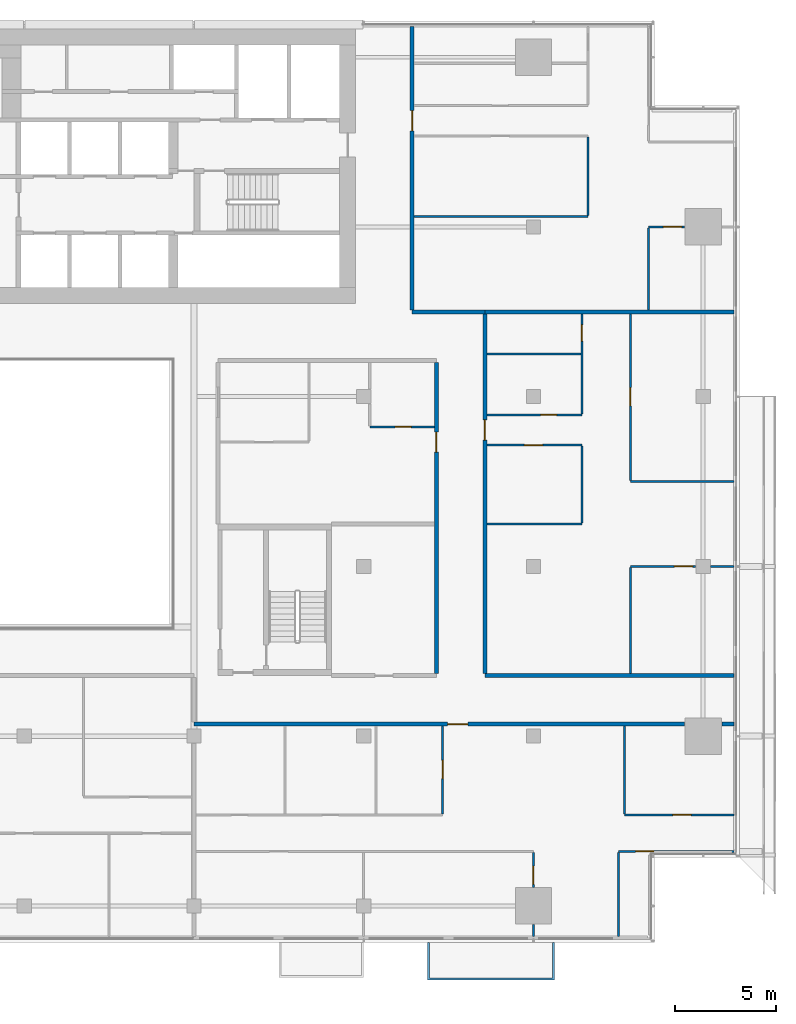
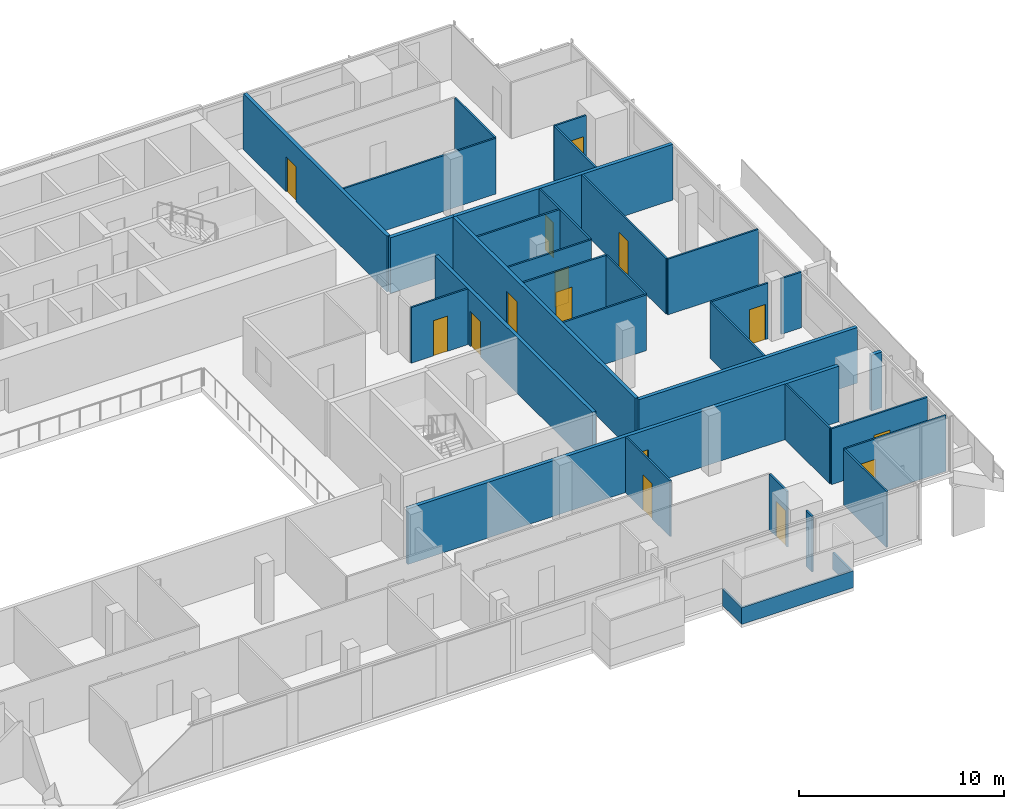
# One storey, part 24 of 29: 32 walls, 15 doors, 15 openings.
"""IFC4 building model written with IfcOpenShell, lengths in metres."""

from ifc_helpers import new_model, si_unit, direction, frame, frame_2d, origin, place, context, subcontext, project, spatial, polyline, rectangle, outline, extrude, material, layer, layer_set, type_object, element, fill, save


model = new_model("IFC4")

# Units and contexts
model_context = context("Model", 3, precision=1e-05, world=origin(), true_north=direction((0.0, 1.0)))
body_context = subcontext(model_context, "Body", "Model", "MODEL_VIEW")
ifc_project = project(units=[si_unit("LENGTHUNIT", "METRE"), si_unit("AREAUNIT", "SQUARE_METRE"), si_unit("VOLUMEUNIT", "CUBIC_METRE"), si_unit("PLANEANGLEUNIT", "RADIAN"), si_unit("MASSUNIT", "GRAM", prefix="KILO")], contexts=[model_context])

# Site, building, storey
site_placement = place(None, origin())
site = spatial("IfcSite", under=ifc_project, at=site_placement, CompositionType="ELEMENT")
building_placement = place(site_placement, origin())
building = spatial("IfcBuilding", under=site, at=building_placement, Name="Saffron Gate Tower", CompositionType="ELEMENT")
storey_placement = place(building_placement, frame((0.0, 0.0, 161.85009765625)))
storey = spatial("IfcBuildingStorey", under=building, at=storey_placement, Name="L39", CompositionType="ELEMENT", Elevation=161.85009765625)

# Wall, opening, door
ifc_material_1 = material(Name="Plasterboard on steel studs", Category="steel")
ifc_layer_1 = layer(ifc_material_1, 0.10009765625)
ifc_layer_set_1 = layer_set([ifc_layer_1], Name="PW1 Partition 100")
wall_type_1 = type_object("IfcWallType", Name="PW1 Partition 100", PredefinedType="PARTITIONING", material=ifc_layer_set_1)
wall_1_placement = place(storey_placement, frame((126.919921875, 34.5, 0.0), z_axis=(0.0, 0.0, 1.0), x_axis=(-1.0, 0.0, 0.0)))
wall_1 = element("IfcWall", 1, at=wall_1_placement, inside=storey, type_object=wall_type_1, Name="Partition C2-4", PredefinedType="PARTITIONING", context=body_context, shape_type="SweptSolid", body=[
    extrude(rectangle(XDim=5.719970703125, YDim=0.10009765625, at=frame_2d((2.85986328125, 0.0))), origin(), (0.0, 0.0, 1.0), 3.31982421875),
])
opening_1_placement = place(wall_1_placement, frame((3.96630859375, 0.0, 0.0)))
opening_1 = element("IfcOpeningElement", 2, at=opening_1_placement, cuts=wall_1, Name="Opening C2-22", PredefinedType="OPENING", context=body_context, shape_type="SweptSolid", body=[
    extrude(rectangle(XDim=0.89990234375, YDim=2.10009765625, at=frame_2d((0.449951171875, 1.050048828125))), frame((0.0, 0.06005859375, 0.0), z_axis=(0.0, -1.0, 0.0), x_axis=(1.0, 0.0, 0.0)), (0.0, 0.0, 1.0), 0.1201171875),
])
ifc_material_2 = material(Name="Timber door set", Category="wood")
door_type_1 = type_object("IfcDoorType", Name="RD1 Room door 900x2100", OperationType="NOTDEFINED", PredefinedType="DOOR", material=ifc_material_2)
door_1_placement = place(opening_1_placement, origin())
door_1 = element("IfcDoor", 3, at=door_1_placement, inside=storey, type_object=door_type_1, Name="Door C2-22", OperationType="SINGLE_SWING_RIGHT", OverallHeight=2.10009765625, OverallWidth=0.89990234375, PredefinedType="DOOR", context=body_context, shape_type="SweptSolid", body=[
    extrude(rectangle(XDim=0.89990234375, YDim=2.10009765625, at=frame_2d((0.449951171875, 1.050048828125))), frame((0.0, 0.02490234375, 0.0), z_axis=(0.0, -1.0, 0.0), x_axis=(1.0, 0.0, 0.0)), (0.0, 0.0, 1.0), 0.050048828125),
])
fill(opening_1, door_1)

wall_2_placement = place(storey_placement, frame((121.5, 36.300048828125, 0.0), z_axis=(0.0, 0.0, 1.0), x_axis=(1.0, 0.0, 0.0)))
wall_2 = element("IfcWall", 4, at=wall_2_placement, inside=storey, type_object=wall_type_1, Name="Partition C2-9", PredefinedType="PARTITIONING", context=body_context, shape_type="SweptSolid", body=[
    extrude(rectangle(XDim=5.419921875, YDim=0.10009765625, at=frame_2d((2.7099609375, 0.0))), origin(), (0.0, 0.0, 1.0), 3.31982421875),
])
opening_2_placement = place(wall_2_placement, frame((2.39990234375, 0.0, 0.0)))
opening_2 = element("IfcOpeningElement", 5, at=opening_2_placement, cuts=wall_2, Name="Opening C2-23", PredefinedType="OPENING", context=body_context, shape_type="SweptSolid", body=[
    extrude(rectangle(XDim=0.89990234375, YDim=2.10009765625, at=frame_2d((0.449951171875, 1.050048828125))), frame((0.0, 0.06005859375, 0.0), z_axis=(0.0, -1.0, 0.0), x_axis=(1.0, 0.0, 0.0)), (0.0, 0.0, 1.0), 0.1201171875),
])
door_2_placement = place(opening_2_placement, origin())
door_2 = element("IfcDoor", 6, at=door_2_placement, inside=storey, type_object=door_type_1, Name="Door C2-23", OperationType="SINGLE_SWING_RIGHT", OverallHeight=2.10009765625, OverallWidth=0.89990234375, PredefinedType="DOOR", context=body_context, shape_type="SweptSolid", body=[
    extrude(rectangle(XDim=0.89990234375, YDim=2.10009765625, at=frame_2d((0.449951171875, 1.050048828125))), frame((0.0, 0.02490234375, 0.0), z_axis=(0.0, -1.0, 0.0), x_axis=(1.0, 0.0, 0.0)), (0.0, 0.0, 1.0), 0.050048828125),
])
fill(opening_2, door_2)

wall_3_placement = place(storey_placement, frame((125.030029296875, 48.60009765625, 0.0), z_axis=(0.0, 0.0, 1.0), x_axis=(-1.0, 0.0, 0.0)))
wall_3 = element("IfcWall", 7, at=wall_3_placement, inside=storey, type_object=wall_type_1, Name="Partition C2-24", PredefinedType="PARTITIONING", context=body_context, shape_type="SweptSolid", body=[
    extrude(rectangle(XDim=3.22998046875, YDim=0.10009765625, at=frame_2d((1.614990234375, 0.0))), origin(), (0.0, 0.0, 1.0), 3.31982421875),
])
opening_3_placement = place(wall_3_placement, frame((0.14990234375, 0.0, 0.0)))
opening_3 = element("IfcOpeningElement", 8, at=opening_3_placement, cuts=wall_3, Name="Opening C2-31", PredefinedType="OPENING", context=body_context, shape_type="SweptSolid", body=[
    extrude(rectangle(XDim=0.89990234375, YDim=2.10009765625, at=frame_2d((0.449951171875, 1.050048828125))), frame((0.0, 0.06005859375, 0.0), z_axis=(0.0, -1.0, 0.0), x_axis=(1.0, 0.0, 0.0)), (0.0, 0.0, 1.0), 0.1201171875),
])
door_3_placement = place(opening_3_placement, origin())
door_3 = element("IfcDoor", 9, at=door_3_placement, inside=storey, type_object=door_type_1, Name="Door C2-31", OperationType="SINGLE_SWING_LEFT", OverallHeight=2.10009765625, OverallWidth=0.89990234375, PredefinedType="DOOR", context=body_context, shape_type="SweptSolid", body=[
    extrude(rectangle(XDim=0.89990234375, YDim=2.10009765625, at=frame_2d((0.449951171875, 1.050048828125))), frame((0.0, 0.02490234375, 0.0), z_axis=(0.0, -1.0, 0.0), x_axis=(1.0, 0.0, 0.0)), (0.0, 0.0, 1.0), 0.050048828125),
])
fill(opening_3, door_3)

# Walls
wall_4_placement = place(storey_placement, frame((125.77001953125, 48.60009765625, 0.0), z_axis=(0.0, 0.0, 1.0), x_axis=(1.0, 0.0, 0.0)))
element("IfcWall", 10, at=wall_4_placement, inside=storey, type_object=wall_type_1, Name="Partition C2-25", PredefinedType="PARTITIONING", context=body_context, shape_type="SweptSolid", body=[
    extrude(rectangle(XDim=1.14990234375, YDim=0.10009765625, at=frame_2d((0.574951171875, 0.0))), origin(), (0.0, 0.0, 1.0), 3.31982421875),
])
wall_5_placement = place(storey_placement, frame((114.699951171875, 50.699951171875, 0.0), z_axis=(0.0, 0.0, 1.0), x_axis=(1.0, 0.0, 0.0)))
element("IfcWall", 11, at=wall_5_placement, inside=storey, type_object=wall_type_1, Name="Partition C2-28", PredefinedType="PARTITIONING", context=body_context, shape_type="SweptSolid", body=[
    extrude(rectangle(XDim=4.699951171875, YDim=0.10009765625, at=frame_2d((2.35009765625, 0.0))), origin(), (0.0, 0.0, 1.0), 3.31982421875),
])
wall_6_placement = place(storey_placement, frame((121.800048828125, 52.800048828125, 0.0), z_axis=(0.0, 0.0, 1.0), x_axis=(1.0, 0.0, 0.0)))
element("IfcWall", 12, at=wall_6_placement, inside=storey, type_object=wall_type_1, Name="Partition C2-30", PredefinedType="PARTITIONING", context=body_context, shape_type="SweptSolid", body=[
    extrude(rectangle(XDim=5.119873046875, YDim=0.10009765625, at=frame_2d((2.56005859375, 0.0))), origin(), (0.0, 0.0, 1.0), 3.31982421875),
])

# Wall, opening, door
wall_7_placement = place(storey_placement, frame((119.39990234375, 54.60009765625, 0.0), z_axis=(0.0, 0.0, 1.0), x_axis=(-1.0, 0.0, 0.0)))
wall_7 = element("IfcWall", 13, at=wall_7_placement, inside=storey, type_object=wall_type_1, Name="Partition C2-31", PredefinedType="PARTITIONING", context=body_context, shape_type="SweptSolid", body=[
    extrude(rectangle(XDim=4.699951171875, YDim=0.10009765625, at=frame_2d((2.35009765625, 0.0))), origin(), (0.0, 0.0, 1.0), 3.31982421875),
])
opening_4_placement = place(wall_7_placement, frame((1.949951171875, 0.0, 0.0)))
opening_4 = element("IfcOpeningElement", 14, at=opening_4_placement, cuts=wall_7, Name="Opening C2-33", PredefinedType="OPENING", context=body_context, shape_type="SweptSolid", body=[
    extrude(rectangle(XDim=0.89990234375, YDim=2.10009765625, at=frame_2d((0.449951171875, 1.050048828125))), frame((0.0, 0.06005859375, 0.0), z_axis=(0.0, -1.0, 0.0), x_axis=(1.0, 0.0, 0.0)), (0.0, 0.0, 1.0), 0.1201171875),
])
door_4_placement = place(opening_4_placement, origin())
door_4 = element("IfcDoor", 15, at=door_4_placement, inside=storey, type_object=door_type_1, Name="Door C2-33", OperationType="SINGLE_SWING_RIGHT", OverallHeight=2.10009765625, OverallWidth=0.89990234375, PredefinedType="DOOR", context=body_context, shape_type="SweptSolid", body=[
    extrude(rectangle(XDim=0.89990234375, YDim=2.10009765625, at=frame_2d((0.449951171875, 1.050048828125))), frame((0.0, 0.02490234375, 0.0), z_axis=(0.0, -1.0, 0.0), x_axis=(1.0, 0.0, 0.0)), (0.0, 0.0, 1.0), 0.050048828125),
])
fill(opening_4, door_4)

wall_8_placement = place(storey_placement, frame((108.89990234375, 55.5, 0.0), z_axis=(0.0, 0.0, 1.0), x_axis=(1.0, 0.0, 0.0)))
wall_8 = element("IfcWall", 16, at=wall_8_placement, inside=storey, type_object=wall_type_1, Name="Partition C2-34", PredefinedType="PARTITIONING", context=body_context, shape_type="SweptSolid", body=[
    extrude(rectangle(XDim=3.2001953125, YDim=0.10009765625, at=frame_2d((1.60009765625, 0.0))), origin(), (0.0, 0.0, 1.0), 3.31982421875),
])
opening_5_placement = place(wall_8_placement, frame((1.25, 0.0, 0.0)))
opening_5 = element("IfcOpeningElement", 17, at=opening_5_placement, cuts=wall_8, Name="Opening C2-53", PredefinedType="OPENING", context=body_context, shape_type="SweptSolid", body=[
    extrude(rectangle(XDim=0.800048828125, YDim=2.10009765625, at=frame_2d((0.39990234375, 1.050048828125))), frame((0.0, 0.06005859375, 0.0), z_axis=(0.0, -1.0, 0.0), x_axis=(1.0, 0.0, 0.0)), (0.0, 0.0, 1.0), 0.1201171875),
])
door_type_2 = type_object("IfcDoorType", Name="RD2 Bathroom door 800x2100", OperationType="NOTDEFINED", PredefinedType="DOOR", material=ifc_material_2)
door_5_placement = place(opening_5_placement, origin())
door_5 = element("IfcDoor", 18, at=door_5_placement, inside=storey, type_object=door_type_2, Name="Door C2-53", OperationType="SINGLE_SWING_RIGHT", OverallHeight=2.10009765625, OverallWidth=0.800048828125, PredefinedType="DOOR", context=body_context, shape_type="SweptSolid", body=[
    extrude(rectangle(XDim=0.800048828125, YDim=2.10009765625, at=frame_2d((0.39990234375, 1.050048828125))), frame((0.0, 0.02490234375, 0.0), z_axis=(0.0, -1.0, 0.0), x_axis=(1.0, 0.0, 0.0)), (0.0, 0.0, 1.0), 0.050048828125),
])
fill(opening_5, door_5)

wall_9_placement = place(storey_placement, frame((114.699951171875, 56.10009765625, 0.0), z_axis=(0.0, 0.0, 1.0), x_axis=(1.0, 0.0, 0.0)))
wall_9 = element("IfcWall", 19, at=wall_9_placement, inside=storey, type_object=wall_type_1, Name="Partition C2-36", PredefinedType="PARTITIONING", context=body_context, shape_type="SweptSolid", body=[
    extrude(rectangle(XDim=4.699951171875, YDim=0.10009765625, at=frame_2d((2.35009765625, 0.0))), origin(), (0.0, 0.0, 1.0), 3.31982421875),
])
opening_6_placement = place(wall_9_placement, frame((2.64990234375, 0.0, 0.0)))
opening_6 = element("IfcOpeningElement", 20, at=opening_6_placement, cuts=wall_9, Name="Opening C2-48", PredefinedType="OPENING", context=body_context, shape_type="SweptSolid", body=[
    extrude(rectangle(XDim=0.800048828125, YDim=2.10009765625, at=frame_2d((0.39990234375, 1.050048828125))), frame((0.0, 0.06005859375, 0.0), z_axis=(0.0, -1.0, 0.0), x_axis=(1.0, 0.0, 0.0)), (0.0, 0.0, 1.0), 0.1201171875),
])
door_6_placement = place(opening_6_placement, origin())
door_6 = element("IfcDoor", 21, at=door_6_placement, inside=storey, type_object=door_type_2, Name="Door C2-48", OperationType="SINGLE_SWING_RIGHT", OverallHeight=2.10009765625, OverallWidth=0.800048828125, PredefinedType="DOOR", context=body_context, shape_type="SweptSolid", body=[
    extrude(rectangle(XDim=0.800048828125, YDim=2.10009765625, at=frame_2d((0.39990234375, 1.050048828125))), frame((0.0, 0.02490234375, 0.0), z_axis=(0.0, -1.0, 0.0), x_axis=(1.0, 0.0, 0.0)), (0.0, 0.0, 1.0), 0.050048828125),
])
fill(opening_6, door_6)

# Wall
wall_10_placement = place(storey_placement, frame((114.699951171875, 59.10009765625, 0.0), z_axis=(0.0, 0.0, 1.0), x_axis=(1.0, 0.0, 0.0)))
element("IfcWall", 22, at=wall_10_placement, inside=storey, type_object=wall_type_1, Name="Partition C2-41", PredefinedType="PARTITIONING", context=body_context, shape_type="SweptSolid", body=[
    extrude(rectangle(XDim=4.650146484375, YDim=0.10009765625, at=frame_2d((2.3251953125, 0.0))), origin(), (0.0, 0.0, 1.0), 3.31982421875),
])

# Wall, opening, door
wall_11_placement = place(storey_placement, frame((124.47998046875, 65.39990234375, 0.0), z_axis=(0.0, 0.0, 1.0), x_axis=(-1.0, 0.0, 0.0)))
wall_11 = element("IfcWall", 23, at=wall_11_placement, inside=storey, type_object=wall_type_1, Name="Partition C2-47", PredefinedType="PARTITIONING", context=body_context, shape_type="SweptSolid", body=[
    extrude(rectangle(XDim=1.780029296875, YDim=0.10009765625, at=frame_2d((0.89013671875, 0.0))), origin(), (0.0, 0.0, 1.0), 3.31982421875),
])
opening_7_placement = place(wall_11_placement, frame((0.14990234375, 0.0, 0.0)))
opening_7 = element("IfcOpeningElement", 24, at=opening_7_placement, cuts=wall_11, Name="Opening C2-34", PredefinedType="OPENING", context=body_context, shape_type="SweptSolid", body=[
    extrude(rectangle(XDim=0.89990234375, YDim=2.10009765625, at=frame_2d((0.449951171875, 1.050048828125))), frame((0.0, 0.06005859375, 0.0), z_axis=(0.0, -1.0, 0.0), x_axis=(1.0, 0.0, 0.0)), (0.0, 0.0, 1.0), 0.1201171875),
])
door_7_placement = place(opening_7_placement, origin())
door_7 = element("IfcDoor", 25, at=door_7_placement, inside=storey, type_object=door_type_1, Name="Door C2-34", OperationType="SINGLE_SWING_LEFT", OverallHeight=2.10009765625, OverallWidth=0.89990234375, PredefinedType="DOOR", context=body_context, shape_type="SweptSolid", body=[
    extrude(rectangle(XDim=0.89990234375, YDim=2.10009765625, at=frame_2d((0.449951171875, 1.050048828125))), frame((0.0, 0.02490234375, 0.0), z_axis=(0.0, -1.0, 0.0), x_axis=(1.0, 0.0, 0.0)), (0.0, 0.0, 1.0), 0.050048828125),
])
fill(opening_7, door_7)

# Wall
wall_12_placement = place(storey_placement, frame((111.10009765625, 65.91259765625, 0.0), z_axis=(0.0, 0.0, 1.0), x_axis=(1.0, 0.0, 0.0)))
element("IfcWall", 26, at=wall_12_placement, inside=storey, type_object=wall_type_1, Name="Partition C2-51", PredefinedType="PARTITIONING", context=body_context, shape_type="SweptSolid", body=[
    extrude(rectangle(XDim=8.599853515625, YDim=0.10009765625, at=frame_2d((4.2998046875, 0.0))), origin(), (0.0, 0.0, 1.0), 3.31982421875),
])

# Wall, opening, door
wall_13_placement = place(storey_placement, frame((112.5, 36.35009765625, 0.0), z_axis=(0.0, 0.0, 1.0), x_axis=(0.0, 1.0, 0.0)))
wall_13 = element("IfcWall", 27, at=wall_13_placement, inside=storey, type_object=wall_type_1, Name="Partition C2-106", PredefinedType="PARTITIONING", context=body_context, shape_type="SweptSolid", body=[
    extrude(rectangle(XDim=4.349853515625, YDim=0.10009765625, at=frame_2d((2.1748046875, 0.0))), origin(), (0.0, 0.0, 1.0), 3.31982421875),
])
opening_8_placement = place(wall_13_placement, frame((1.75, 0.0, 0.0)))
opening_8 = element("IfcOpeningElement", 28, at=opening_8_placement, cuts=wall_13, Name="Opening C2-24", PredefinedType="OPENING", context=body_context, shape_type="SweptSolid", body=[
    extrude(rectangle(XDim=0.89990234375, YDim=2.10009765625, at=frame_2d((0.449951171875, 1.050048828125))), frame((0.0, 0.06005859375, 0.0), z_axis=(0.0, -1.0, 0.0), x_axis=(1.0, 0.0, 0.0)), (0.0, 0.0, 1.0), 0.1201171875),
])
door_8_placement = place(opening_8_placement, origin())
door_8 = element("IfcDoor", 29, at=door_8_placement, inside=storey, type_object=door_type_1, Name="Door C2-24", OperationType="SINGLE_SWING_RIGHT", OverallHeight=2.10009765625, OverallWidth=0.89990234375, PredefinedType="DOOR", context=body_context, shape_type="SweptSolid", body=[
    extrude(rectangle(XDim=0.89990234375, YDim=2.10009765625, at=frame_2d((0.449951171875, 1.050048828125))), frame((0.0, 0.02490234375, 0.0), z_axis=(0.0, -1.0, 0.0), x_axis=(1.0, 0.0, 0.0)), (0.0, 0.0, 1.0), 0.050048828125),
])
fill(opening_8, door_8)

# Wall
wall_14_placement = place(storey_placement, frame((117.0, 30.8798828125, 0.0), z_axis=(0.0, 0.0, 1.0), x_axis=(0.0, -1.0, 0.0)))
element("IfcWall", 30, at=wall_14_placement, inside=storey, type_object=wall_type_1, Name="Partition C2-108", PredefinedType="PARTITIONING", context=body_context, shape_type="SweptSolid", body=[
    extrude(rectangle(XDim=0.599853515625, YDim=0.10009765625, at=frame_2d((0.2998046875, 0.0))), origin(), (0.0, 0.0, 1.0), 3.31982421875),
])

# Wall, opening, door
wall_15_placement = place(storey_placement, frame((117.0, 32.719970703125, 0.0), z_axis=(0.0, 0.0, 1.0), x_axis=(0.0, 1.0, 0.0)))
wall_15 = element("IfcWall", 31, at=wall_15_placement, inside=storey, type_object=wall_type_1, Name="Partition C2-109", PredefinedType="PARTITIONING", context=body_context, shape_type="SweptSolid", body=[
    extrude(rectangle(XDim=1.72998046875, YDim=0.10009765625, at=frame_2d((0.864990234375, 0.0))), origin(), (0.0, 0.0, 1.0), 3.31982421875),
])
opening_9_placement = place(wall_15_placement, frame((0.14990234375, 0.0, 0.0)))
opening_9 = element("IfcOpeningElement", 32, at=opening_9_placement, cuts=wall_15, Name="Opening C2-21", PredefinedType="OPENING", context=body_context, shape_type="SweptSolid", body=[
    extrude(rectangle(XDim=0.89990234375, YDim=2.10009765625, at=frame_2d((0.449951171875, 1.050048828125))), frame((0.0, 0.06005859375, 0.0), z_axis=(0.0, -1.0, 0.0), x_axis=(1.0, 0.0, 0.0)), (0.0, 0.0, 1.0), 0.1201171875),
])
door_9_placement = place(opening_9_placement, origin())
door_9 = element("IfcDoor", 33, at=door_9_placement, inside=storey, type_object=door_type_1, Name="Door C2-21", OperationType="SINGLE_SWING_LEFT", OverallHeight=2.10009765625, OverallWidth=0.89990234375, PredefinedType="DOOR", context=body_context, shape_type="SweptSolid", body=[
    extrude(rectangle(XDim=0.89990234375, YDim=2.10009765625, at=frame_2d((0.449951171875, 1.050048828125))), frame((0.0, 0.02490234375, 0.0), z_axis=(0.0, -1.0, 0.0), x_axis=(1.0, 0.0, 0.0)), (0.0, 0.0, 1.0), 0.050048828125),
])
fill(opening_9, door_9)

# Wall
wall_16_placement = place(storey_placement, frame((119.39990234375, 54.550048828125, 0.0), z_axis=(0.0, 0.0, 1.0), x_axis=(0.0, -1.0, 0.0)))
element("IfcWall", 34, at=wall_16_placement, inside=storey, type_object=wall_type_1, Name="Partition C2-110", PredefinedType="PARTITIONING", context=body_context, shape_type="SweptSolid", body=[
    extrude(rectangle(XDim=3.800048828125, YDim=0.10009765625, at=frame_2d((1.89990234375, 0.0))), origin(), (0.0, 0.0, 1.0), 3.31982421875),
])

# Wall, opening, door
wall_17_placement = place(storey_placement, frame((119.39990234375, 56.14990234375, 0.0), z_axis=(0.0, 0.0, 1.0), x_axis=(0.0, 1.0, 0.0)))
wall_17 = element("IfcWall", 35, at=wall_17_placement, inside=storey, type_object=wall_type_1, Name="Partition C2-111", PredefinedType="PARTITIONING", context=body_context, shape_type="SweptSolid", body=[
    extrude(rectangle(XDim=4.9501953125, YDim=0.10009765625, at=frame_2d((2.47509765625, 0.0))), origin(), (0.0, 0.0, 1.0), 3.31982421875),
])
opening_10_placement = place(wall_17_placement, frame((3.60009765625, 0.0, 0.0)))
opening_10 = element("IfcOpeningElement", 36, at=opening_10_placement, cuts=wall_17, Name="Opening C2-49", PredefinedType="OPENING", context=body_context, shape_type="SweptSolid", body=[
    extrude(rectangle(XDim=0.800048828125, YDim=2.10009765625, at=frame_2d((0.39990234375, 1.050048828125))), frame((0.0, 0.06005859375, 0.0), z_axis=(0.0, -1.0, 0.0), x_axis=(1.0, 0.0, 0.0)), (0.0, 0.0, 1.0), 0.1201171875),
])
door_10_placement = place(opening_10_placement, origin())
door_10 = element("IfcDoor", 37, at=door_10_placement, inside=storey, type_object=door_type_2, Name="Door C2-49", OperationType="SINGLE_SWING_RIGHT", OverallHeight=2.10009765625, OverallWidth=0.800048828125, PredefinedType="DOOR", context=body_context, shape_type="SweptSolid", body=[
    extrude(rectangle(XDim=0.800048828125, YDim=2.10009765625, at=frame_2d((0.39990234375, 1.050048828125))), frame((0.0, 0.02490234375, 0.0), z_axis=(0.0, -1.0, 0.0), x_axis=(1.0, 0.0, 0.0)), (0.0, 0.0, 1.0), 0.050048828125),
])
fill(opening_10, door_10)

# Walls
wall_18_placement = place(storey_placement, frame((119.699951171875, 69.85009765625, 0.0), z_axis=(0.0, 0.0, 1.0), x_axis=(0.0, -1.0, 0.0)))
element("IfcWall", 38, at=wall_18_placement, inside=storey, type_object=wall_type_1, Name="Partition C2-112", PredefinedType="PARTITIONING", context=body_context, shape_type="SweptSolid", body=[
    extrude(rectangle(XDim=3.887451171875, YDim=0.10009765625, at=frame_2d((1.94384765625, 0.0))), origin(), (0.0, 0.0, 1.0), 3.31982421875),
])
wall_19_placement = place(storey_placement, frame((121.199951171875, 34.449951171875, 0.0), z_axis=(0.0, 0.0, 1.0), x_axis=(0.0, -1.0, 0.0)))
element("IfcWall", 39, at=wall_19_placement, inside=storey, type_object=wall_type_1, Name="Partition C2-114", PredefinedType="PARTITIONING", context=body_context, shape_type="SweptSolid", body=[
    extrude(rectangle(XDim=4.169921875, YDim=0.10009765625, at=frame_2d((2.0849609375, 0.0))), origin(), (0.0, 0.0, 1.0), 3.31982421875),
])
wall_20_placement = place(storey_placement, frame((121.5, 40.699951171875, 0.0), z_axis=(0.0, 0.0, 1.0), x_axis=(0.0, -1.0, 0.0)))
element("IfcWall", 40, at=wall_20_placement, inside=storey, type_object=wall_type_1, Name="Partition C2-115", PredefinedType="PARTITIONING", context=body_context, shape_type="SweptSolid", body=[
    extrude(rectangle(XDim=4.349853515625, YDim=0.10009765625, at=frame_2d((2.1748046875, 0.0))), origin(), (0.0, 0.0, 1.0), 3.31982421875),
])
wall_21_placement = place(storey_placement, frame((121.800048828125, 48.550048828125, 0.0), z_axis=(0.0, 0.0, 1.0), x_axis=(0.0, -1.0, 0.0)))
element("IfcWall", 41, at=wall_21_placement, inside=storey, type_object=wall_type_1, Name="Partition C2-116", PredefinedType="PARTITIONING", context=body_context, shape_type="SweptSolid", body=[
    extrude(rectangle(XDim=5.25, YDim=0.10009765625, at=frame_2d((2.625, 0.0))), origin(), (0.0, 0.0, 1.0), 3.31982421875),
])

# Wall, opening, door
wall_22_placement = place(storey_placement, frame((121.800048828125, 61.10009765625, 0.0), z_axis=(0.0, 0.0, 1.0), x_axis=(0.0, -1.0, 0.0)))
wall_22 = element("IfcWall", 42, at=wall_22_placement, inside=storey, type_object=wall_type_1, Name="Partition C2-117", PredefinedType="PARTITIONING", context=body_context, shape_type="SweptSolid", body=[
    extrude(rectangle(XDim=8.25, YDim=0.10009765625, at=frame_2d((4.125, 0.0))), origin(), (0.0, 0.0, 1.0), 3.31982421875),
])
opening_11_placement = place(wall_22_placement, frame((3.64990234375, 0.0, 0.0)))
opening_11 = element("IfcOpeningElement", 43, at=opening_11_placement, cuts=wall_22, Name="Opening C2-32", PredefinedType="OPENING", context=body_context, shape_type="SweptSolid", body=[
    extrude(rectangle(XDim=0.89990234375, YDim=2.10009765625, at=frame_2d((0.449951171875, 1.050048828125))), frame((0.0, 0.06005859375, 0.0), z_axis=(0.0, -1.0, 0.0), x_axis=(1.0, 0.0, 0.0)), (0.0, 0.0, 1.0), 0.1201171875),
])
door_11_placement = place(opening_11_placement, origin())
door_11 = element("IfcDoor", 44, at=door_11_placement, inside=storey, type_object=door_type_1, Name="Door C2-32", OperationType="SINGLE_SWING_LEFT", OverallHeight=2.10009765625, OverallWidth=0.89990234375, PredefinedType="DOOR", context=body_context, shape_type="SweptSolid", body=[
    extrude(rectangle(XDim=0.89990234375, YDim=2.10009765625, at=frame_2d((0.449951171875, 1.050048828125))), frame((0.0, 0.02490234375, 0.0), z_axis=(0.0, -1.0, 0.0), x_axis=(1.0, 0.0, 0.0)), (0.0, 0.0, 1.0), 0.050048828125),
])
fill(opening_11, door_11)

# Walls
wall_23_placement = place(storey_placement, frame((122.699951171875, 65.35009765625, 0.0), z_axis=(0.0, 0.0, 1.0), x_axis=(0.0, -1.0, 0.0)))
element("IfcWall", 45, at=wall_23_placement, inside=storey, type_object=wall_type_1, Name="Partition C2-118", PredefinedType="PARTITIONING", context=body_context, shape_type="SweptSolid", body=[
    extrude(rectangle(XDim=4.050048828125, YDim=0.10009765625, at=frame_2d((2.02490234375, 0.0))), origin(), (0.0, 0.0, 1.0), 3.31982421875),
])
ifc_material_3 = material(Name="Clay brick masonry, rendered", Category="masonry")
ifc_layer_2 = layer(ifc_material_3, 0.199951171875)
ifc_layer_set_2 = layer_set([ifc_layer_2], Name="PW2 Demising wall 200")
wall_type_2 = type_object("IfcWallType", Name="PW2 Demising wall 200", PredefinedType="PARTITIONING", material=ifc_layer_set_2)
wall_24_placement = place(storey_placement, frame((114.60009765625, 61.199951171875, 0.0), z_axis=(0.0, 0.0, 1.0), x_axis=(1.0, 0.0, 0.0)))
element("IfcWall", 46, at=wall_24_placement, inside=storey, type_object=wall_type_2, Name="Wall C2-46", PredefinedType="PARTITIONING", context=body_context, shape_type="SweptSolid", body=[
    extrude(rectangle(XDim=12.31982421875, YDim=0.199951171875, at=frame_2d((6.159912109375, 0.0))), origin(), (0.0, 0.0, 1.0), 3.31982421875),
])

# Wall, opening, door
ifc_layer_3 = layer(ifc_material_3, 0.199951171875)
ifc_layer_set_3 = layer_set([ifc_layer_3], Name="PW3 Corridor wall 200")
wall_type_3 = type_object("IfcWallType", Name="PW3 Corridor wall 200", PredefinedType="PARTITIONING", material=ifc_layer_set_3)
wall_25_placement = place(storey_placement, frame((124.47998046875, 40.800048828125, 0.0), z_axis=(0.0, 0.0, 1.0), x_axis=(-1.0, 0.0, 0.0)))
wall_25 = element("IfcWall", 47, at=wall_25_placement, inside=storey, type_object=wall_type_3, Name="Wall C2-14", PredefinedType="PARTITIONING", context=body_context, shape_type="SweptSolid", body=[
    extrude(rectangle(XDim=24.280029296875, YDim=0.199951171875, at=frame_2d((12.14013671875, 0.0))), origin(), (0.0, 0.0, 1.0), 3.31982421875),
])
opening_12_placement = place(wall_25_placement, frame((10.72998046875, 0.0, 0.0)))
opening_12 = element("IfcOpeningElement", 48, at=opening_12_placement, cuts=wall_25, Name="Opening C2-3", PredefinedType="OPENING", context=body_context, shape_type="SweptSolid", body=[
    extrude(rectangle(XDim=1.0, YDim=2.10009765625, at=frame_2d((0.5, 1.050048828125))), frame((0.0, 0.10986328125, 0.0), z_axis=(0.0, -1.0, 0.0), x_axis=(1.0, 0.0, 0.0)), (0.0, 0.0, 1.0), 0.219970703125),
])
ifc_material_4 = material(Name="Timber fire door set", Category="wood")
door_type_3 = type_object("IfcDoorType", Name="FD1 Flat entry door 1000x2100", OperationType="NOTDEFINED", PredefinedType="DOOR", material=ifc_material_4)
door_12_placement = place(opening_12_placement, origin())
door_12 = element("IfcDoor", 49, at=door_12_placement, inside=storey, type_object=door_type_3, Name="Door C2-3", OperationType="SINGLE_SWING_RIGHT", OverallHeight=2.10009765625, OverallWidth=1.0, PredefinedType="DOOR", context=body_context, shape_type="SweptSolid", body=[
    extrude(rectangle(XDim=1.0, YDim=2.10009765625, at=frame_2d((0.5, 1.050048828125))), frame((0.0, 0.02490234375, 0.0), z_axis=(0.0, -1.0, 0.0), x_axis=(1.0, 0.0, 0.0)), (0.0, 0.0, 1.0), 0.050048828125),
])
fill(opening_12, door_12)

# Walls
wall_26_placement = place(storey_placement, frame((126.320068359375, 40.800048828125, 0.0), z_axis=(0.0, 0.0, 1.0), x_axis=(1.0, 0.0, 0.0)))
element("IfcWall", 50, at=wall_26_placement, inside=storey, type_object=wall_type_3, Name="Wall C2-15", PredefinedType="PARTITIONING", context=body_context, shape_type="SweptSolid", body=[
    extrude(rectangle(XDim=0.599853515625, YDim=0.199951171875, at=frame_2d((0.2998046875, 0.0))), origin(), (0.0, 0.0, 1.0), 3.31982421875),
])
wall_27_placement = place(storey_placement, frame((114.60009765625, 43.199951171875, 0.0), z_axis=(0.0, 0.0, 1.0), x_axis=(1.0, 0.0, 0.0)))
element("IfcWall", 51, at=wall_27_placement, inside=storey, type_object=wall_type_3, Name="Wall C2-20", PredefinedType="PARTITIONING", context=body_context, shape_type="SweptSolid", body=[
    extrude(rectangle(XDim=12.31982421875, YDim=0.199951171875, at=frame_2d((6.159912109375, 0.0))), origin(), (0.0, 0.0, 1.0), 3.31982421875),
])
wall_28_placement = place(storey_placement, frame((111.0, 61.199951171875, 0.0), z_axis=(0.0, 0.0, 1.0), x_axis=(1.0, 0.0, 0.0)))
element("IfcWall", 52, at=wall_28_placement, inside=storey, type_object=wall_type_3, Name="Wall C2-44", PredefinedType="PARTITIONING", context=body_context, shape_type="SweptSolid", body=[
    extrude(rectangle(XDim=3.60009765625, YDim=0.199951171875, at=frame_2d((1.800048828125, 0.0))), origin(), (0.0, 0.0, 1.0), 3.31982421875),
])

# Wall, opening, door
wall_29_placement = place(storey_placement, frame((111.0, 75.320068359375, 0.0), z_axis=(0.0, 0.0, 1.0), x_axis=(0.0, -1.0, 0.0)))
wall_29 = element("IfcWall", 53, at=wall_29_placement, inside=storey, type_object=wall_type_3, Name="Wall C2-104", PredefinedType="PARTITIONING", context=body_context, shape_type="SweptSolid", body=[
    extrude(rectangle(XDim=14.02001953125, YDim=0.199951171875, at=frame_2d((7.010009765625, 0.0))), origin(), (0.0, 0.0, 1.0), 3.31982421875),
])
opening_13_placement = place(wall_29_placement, frame((4.169921875, 0.0, 0.0)))
opening_13 = element("IfcOpeningElement", 54, at=opening_13_placement, cuts=wall_29, Name="Opening C2-7", PredefinedType="OPENING", context=body_context, shape_type="SweptSolid", body=[
    extrude(rectangle(XDim=1.0, YDim=2.10009765625, at=frame_2d((0.5, 1.050048828125))), frame((0.0, 0.10986328125, 0.0), z_axis=(0.0, -1.0, 0.0), x_axis=(1.0, 0.0, 0.0)), (0.0, 0.0, 1.0), 0.219970703125),
])
door_13_placement = place(opening_13_placement, origin())
door_13 = element("IfcDoor", 55, at=door_13_placement, inside=storey, type_object=door_type_3, Name="Door C2-7", OperationType="SINGLE_SWING_RIGHT", OverallHeight=2.10009765625, OverallWidth=1.0, PredefinedType="DOOR", context=body_context, shape_type="SweptSolid", body=[
    extrude(rectangle(XDim=1.0, YDim=2.10009765625, at=frame_2d((0.5, 1.050048828125))), frame((0.0, 0.02490234375, 0.0), z_axis=(0.0, -1.0, 0.0), x_axis=(1.0, 0.0, 0.0)), (0.0, 0.0, 1.0), 0.050048828125),
])
fill(opening_13, door_13)

wall_30_placement = place(storey_placement, frame((112.199951171875, 43.300048828125, 0.0), z_axis=(0.0, 0.0, 1.0), x_axis=(0.0, 1.0, 0.0)))
wall_30 = element("IfcWall", 56, at=wall_30_placement, inside=storey, type_object=wall_type_3, Name="Wall C2-105", PredefinedType="PARTITIONING", context=body_context, shape_type="SweptSolid", body=[
    extrude(rectangle(XDim=15.39990234375, YDim=0.199951171875, at=frame_2d((7.699951171875, 0.0))), origin(), (0.0, 0.0, 1.0), 3.31982421875),
])
opening_14_placement = place(wall_30_placement, frame((10.949951171875, 0.0, 0.0)))
opening_14 = element("IfcOpeningElement", 57, at=opening_14_placement, cuts=wall_30, Name="Opening C2-9", PredefinedType="OPENING", context=body_context, shape_type="SweptSolid", body=[
    extrude(rectangle(XDim=1.0, YDim=2.10009765625, at=frame_2d((0.5, 1.050048828125))), frame((0.0, 0.10986328125, 0.0), z_axis=(0.0, -1.0, 0.0), x_axis=(1.0, 0.0, 0.0)), (0.0, 0.0, 1.0), 0.219970703125),
])
door_14_placement = place(opening_14_placement, origin())
door_14 = element("IfcDoor", 58, at=door_14_placement, inside=storey, type_object=door_type_3, Name="Door C2-9", OperationType="SINGLE_SWING_RIGHT", OverallHeight=2.10009765625, OverallWidth=1.0, PredefinedType="DOOR", context=body_context, shape_type="SweptSolid", body=[
    extrude(rectangle(XDim=1.0, YDim=2.10009765625, at=frame_2d((0.5, 1.050048828125))), frame((0.0, 0.02490234375, 0.0), z_axis=(0.0, -1.0, 0.0), x_axis=(1.0, 0.0, 0.0)), (0.0, 0.0, 1.0), 0.050048828125),
])
fill(opening_14, door_14)

wall_31_placement = place(storey_placement, frame((114.60009765625, 61.10009765625, 0.0), z_axis=(0.0, 0.0, 1.0), x_axis=(0.0, -1.0, 0.0)))
wall_31 = element("IfcWall", 59, at=wall_31_placement, inside=storey, type_object=wall_type_3, Name="Wall C2-107", PredefinedType="PARTITIONING", context=body_context, shape_type="SweptSolid", body=[
    extrude(rectangle(XDim=17.800048828125, YDim=0.199951171875, at=frame_2d((8.89990234375, 0.0))), origin(), (0.0, 0.0, 1.0), 3.31982421875),
])
opening_15_placement = place(wall_31_placement, frame((5.25, 0.0, 0.0)))
opening_15 = element("IfcOpeningElement", 60, at=opening_15_placement, cuts=wall_31, Name="Opening C2-6", PredefinedType="OPENING", context=body_context, shape_type="SweptSolid", body=[
    extrude(rectangle(XDim=1.0, YDim=2.10009765625, at=frame_2d((0.5, 1.050048828125))), frame((0.0, 0.10986328125, 0.0), z_axis=(0.0, -1.0, 0.0), x_axis=(1.0, 0.0, 0.0)), (0.0, 0.0, 1.0), 0.219970703125),
])
door_15_placement = place(opening_15_placement, origin())
door_15 = element("IfcDoor", 61, at=door_15_placement, inside=storey, type_object=door_type_3, Name="Door C2-6", OperationType="SINGLE_SWING_LEFT", OverallHeight=2.10009765625, OverallWidth=1.0, PredefinedType="DOOR", context=body_context, shape_type="SweptSolid", body=[
    extrude(rectangle(XDim=1.0, YDim=2.10009765625, at=frame_2d((0.5, 1.050048828125))), frame((0.0, 0.02490234375, 0.0), z_axis=(0.0, -1.0, 0.0), x_axis=(1.0, 0.0, 0.0)), (0.0, 0.0, 1.0), 0.050048828125),
])
fill(opening_15, door_15)

# Wall
ifc_material_5 = material(Name="Rendered insulated panel, white")
ifc_layer_4 = layer(ifc_material_5, 0.10009765625)
ifc_layer_set_4 = layer_set([ifc_layer_4], Name="WB3 box parapet white")
wall_type_4 = type_object("IfcWallType", Name="WB3 box parapet white", PredefinedType="SOLIDWALL", material=ifc_layer_set_4)
wall_32_placement = place(storey_placement, origin())
element("IfcWall", 62, at=wall_32_placement, inside=storey, type_object=wall_type_4, Name="WINDOW BOX parapet", PredefinedType="SOLIDWALL", context=body_context, shape_type="SweptSolid", body=[
    extrude(outline(polyline([(111.75, 30.0), (111.85009765625, 30.0), (111.85009765625, 28.23291015625), (117.949951171875, 28.23291015625), (117.949951171875, 30.0), (118.050048828125, 30.0), (118.050048828125, 28.133056640625), (111.75, 28.133056640625), (111.75, 30.0)])), origin(), (0.0, 0.0, 1.0), 1.0),
])

save(model, "model.ifc")
